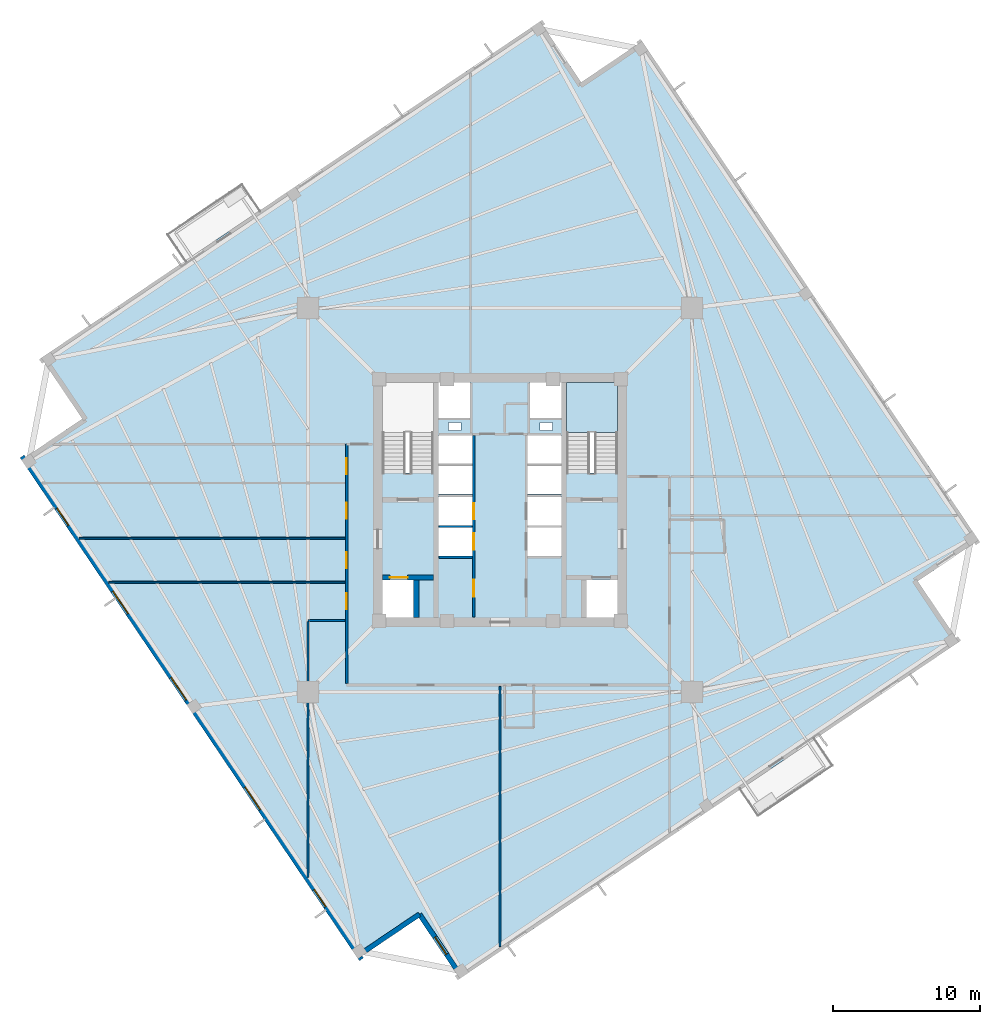
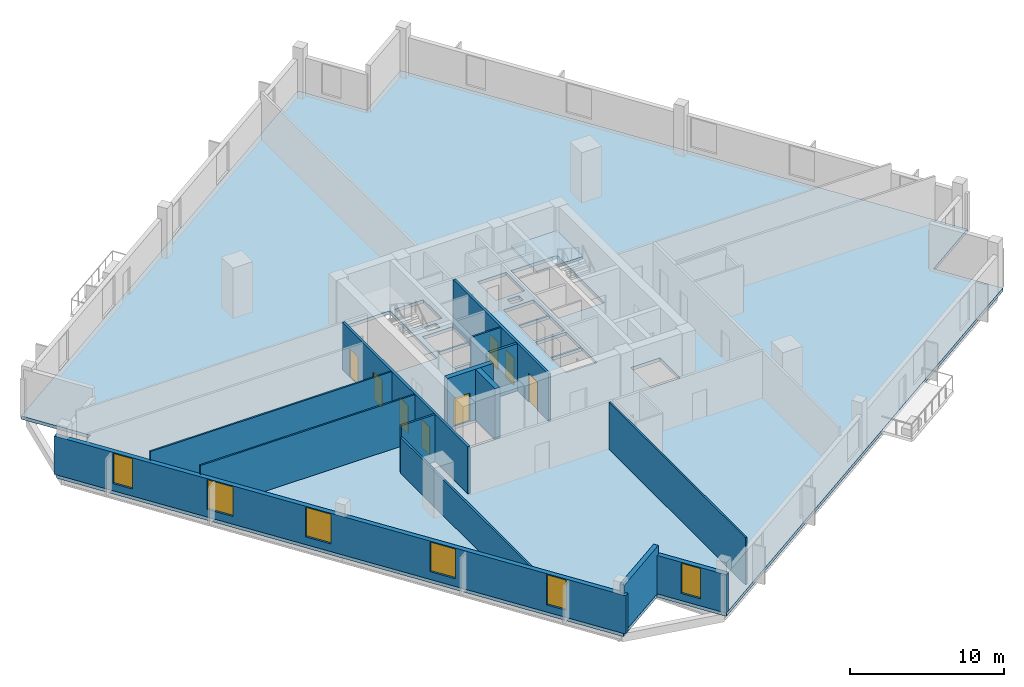
# One storey, part 2 of 8: 14 walls, 8 doors, 6 windows, 2 slabs, 14 openings, 1 element without a shape of its own.
"""IFC4 building model written with IfcOpenShell, lengths in metres."""

from ifc_helpers import new_model, si_unit, direction, frame, frame_2d, origin, place, context, subcontext, project, spatial, polyline, rectangle, outline, extrude, source, transform, mapped, material, layer, layer_set, type_object, element, fill, aggregate, save


model = new_model("IFC4")

# Units and contexts
model_context = context("Model", 3, precision=1e-05, world=origin(), true_north=direction((0.0, 1.0)))
body_context = subcontext(model_context, "Body", "Model", "MODEL_VIEW")
ifc_project = project(units=[si_unit("LENGTHUNIT", "METRE"), si_unit("AREAUNIT", "SQUARE_METRE"), si_unit("VOLUMEUNIT", "CUBIC_METRE"), si_unit("PLANEANGLEUNIT", "RADIAN"), si_unit("MASSUNIT", "GRAM", prefix="KILO"), si_unit("THERMODYNAMICTEMPERATUREUNIT", "KELVIN")], contexts=[model_context])

# Site, building, storey
site_placement = place(None, origin())
site = spatial("IfcSite", under=ifc_project, at=site_placement, CompositionType="ELEMENT")
building_placement = place(site_placement, origin())
building = spatial("IfcBuilding", under=site, at=building_placement, Name="Kosmvard Interchange Tower", CompositionType="ELEMENT")
storey_placement = place(building_placement, frame((0.0, 0.0, 184.39990234375)))
storey = spatial("IfcBuildingStorey", under=building, at=storey_placement, Name="L44", CompositionType="ELEMENT", Elevation=184.39990234375)

# Slab
ifc_material_1 = material(Name="Concrete C50/60", Category="concrete")
ifc_layer_1 = layer(ifc_material_1, 0.260009765625, Name="Concrete C50/60")
ifc_layer_set_1 = layer_set([ifc_layer_1], Name="Concrete C50/60")
slab_type_1 = type_object("IfcSlabType", Name="Mid-Rise Office Composite Slab 260 C50/60", PredefinedType="FLOOR", material=ifc_layer_set_1)
slab_1_placement = place(storey_placement, frame((0.0, 0.0, -0.260009765625)))
element("IfcSlab", 1, at=slab_1_placement, inside=storey, type_object=slab_type_1, Name="L44 Structural Floor Slab", PredefinedType="FLOOR", context=body_context, shape_type="SweptSolid", body=[
    extrude(outline(polyline([(-2.73583984375, -32.60400390625), (31.254638671875, -9.677001953125), (28.458740234375, -5.53173828125), (32.60400390625, -2.73583984375), (9.677001953125, 31.254638671875), (5.53173828125, 28.458740234375), (2.73583984375, 32.60400390625), (-31.254638671875, 9.677001953125), (-28.458740234375, 5.53173828125), (-32.60400390625, 2.73583984375), (-9.677001953125, -31.254638671875), (-5.53173828125, -28.458740234375), (-2.73583984375, -32.60400390625)]), holes=[polyline([(-8.0, 1.8349609375), (-4.5400390625, 1.8349609375), (-4.5400390625, 8.0), (-8.0, 8.0), (-8.0, 1.8349609375)]), polyline([(4.5400390625, 1.8349609375), (8.0, 1.8349609375), (8.0, 8.0), (4.5400390625, 8.0), (4.5400390625, 1.8349609375)]), polyline([(-8.0, -8.0), (-5.800048828125, -8.0), (-5.800048828125, -5.39990234375), (-8.0, -5.39990234375), (-8.0, -8.0)]), polyline([(5.800048828125, -8.0), (8.0, -8.0), (8.0, -5.39990234375), (5.800048828125, -5.39990234375), (5.800048828125, -8.0)]), polyline([(-4.179931640625, -3.800048828125), (-1.8798828125, -3.800048828125), (-1.8798828125, -1.860107421875), (-4.179931640625, -1.860107421875), (-4.179931640625, -3.800048828125)]), polyline([(-4.179931640625, -1.739990234375), (-1.8798828125, -1.739990234375), (-1.8798828125, 0.199951171875), (-4.179931640625, 0.199951171875), (-4.179931640625, -1.739990234375)]), polyline([(1.8798828125, -3.800048828125), (4.179931640625, -3.800048828125), (4.179931640625, -1.860107421875), (1.8798828125, -1.860107421875), (1.8798828125, -3.800048828125)]), polyline([(1.8798828125, -1.739990234375), (4.179931640625, -1.739990234375), (4.179931640625, 0.199951171875), (1.8798828125, 0.199951171875), (1.8798828125, -1.739990234375)]), polyline([(-4.179931640625, 0.39990234375), (-1.8798828125, 0.39990234375), (-1.8798828125, 2.340087890625), (-4.179931640625, 2.340087890625), (-4.179931640625, 0.39990234375)]), polyline([(-4.179931640625, 2.4599609375), (-1.8798828125, 2.4599609375), (-1.8798828125, 4.39990234375), (-4.179931640625, 4.39990234375), (-4.179931640625, 2.4599609375)]), polyline([(1.8798828125, 0.39990234375), (4.179931640625, 0.39990234375), (4.179931640625, 2.340087890625), (1.8798828125, 2.340087890625), (1.8798828125, 0.39990234375)]), polyline([(1.8798828125, 2.4599609375), (4.179931640625, 2.4599609375), (4.179931640625, 4.39990234375), (1.8798828125, 4.39990234375), (1.8798828125, 2.4599609375)]), polyline([(-4.179931640625, 5.60009765625), (-2.0400390625, 5.60009765625), (-2.0400390625, 8.0), (-4.179931640625, 8.0), (-4.179931640625, 5.60009765625)]), polyline([(2.0400390625, 5.60009765625), (4.179931640625, 5.60009765625), (4.179931640625, 8.0), (2.0400390625, 8.0), (2.0400390625, 5.60009765625)]), polyline([(-3.514892578125, 4.739990234375), (-2.6650390625, 4.739990234375), (-2.6650390625, 5.2900390625), (-3.514892578125, 5.2900390625), (-3.514892578125, 4.739990234375)]), polyline([(2.715087890625, 4.739990234375), (3.56494140625, 4.739990234375), (3.56494140625, 5.2900390625), (2.715087890625, 5.2900390625), (2.715087890625, 4.739990234375)])]), origin(), (0.0, 0.0, 1.0), 0.260009765625),
])

# Stair, slab
stair_type = type_object("IfcStairType", Name="Dog-Leg Core Exit Stair H4000 C50/60", PredefinedType="HALF_TURN_STAIR", material=ifc_material_1)
stair_placement = place(storey_placement, origin())
stair = element("IfcStair", 2, at=stair_placement, inside=storey, type_object=stair_type, Name="L44 Protected Exit Stair ST-2", PredefinedType="HALF_TURN_STAIR")
ifc_layer_2 = layer(ifc_material_1, 0.199951171875, Name="Concrete C50/60")
ifc_layer_set_2 = layer_set([ifc_layer_2], Name="Concrete C50/60")
slab_type_2 = type_object("IfcSlabType", Name="Stair Half-Landing Slab 200 C50/60", PredefinedType="LANDING", material=ifc_layer_set_2)
slab_2_placement = place(storey_placement, frame((0.0, 0.0, 1.800048828125)))
slab_2 = element("IfcSlab", 3, at=slab_2_placement, type_object=slab_type_2, Name="ST-2 landing 1", PredefinedType="LANDING", context=body_context, shape_type="SweptSolid", body=[
    extrude(outline(polyline([(8.0, 4.60009765625), (8.0, 8.0), (4.5400390625, 8.0), (4.5400390625, 4.60009765625), (8.0, 4.60009765625)])), origin(), (0.0, 0.0, 1.0), 0.199951171875),
])
aggregate(stair, [slab_2])

# Walls
ifc_material_2 = material(Name="Acoustic gypsum partition system")
ifc_layer_3 = layer(ifc_material_2, 0.14990234375, Name="Acoustic gypsum partition system")
ifc_layer_set_3 = layer_set([ifc_layer_3], Name="Acoustic gypsum partition system")
wall_type_1 = type_object("IfcWallType", Name="Acoustic Suite & Meeting Partition 150", PredefinedType="PARTITIONING", material=ifc_layer_set_3)
wall_1_placement = place(storey_placement, frame((-10.544921875, -8.199951171875, 0.0), z_axis=(0.0, 0.0, 1.0), x_axis=(-1.0, 0.0, 0.0)))
element("IfcWall", 4, at=wall_1_placement, inside=storey, type_object=wall_type_1, Name="L44 Room Partition 06.1", PredefinedType="PARTITIONING", context=body_context, shape_type="SweptSolid", body=[
    extrude(rectangle(XDim=2.5361328125, YDim=0.14990234375, at=frame_2d((1.26806640625, 0.0))), origin(), (0.0, 0.0, 1.0), 3.739990234375),
])
wall_2_placement = place(storey_placement, frame((-13.0810546875, -8.27490234375, 0.0), z_axis=(0.0, 0.0, 1.0), x_axis=(0.0, -1.0, 0.0)))
element("IfcWall", 5, at=wall_2_placement, inside=storey, type_object=wall_type_1, Name="L44 Room Partition 07.1", PredefinedType="PARTITIONING", context=body_context, shape_type="SweptSolid", body=[
    extrude(rectangle(XDim=17.44140625, YDim=0.14990234375, at=frame_2d((8.720703125, 0.0))), origin(), (0.0, 0.0, 1.0), 2.840087890625),
])

# Wall, openings, doors
ifc_material_3 = material(Name="Fire-rated gypsum partition system")
ifc_layer_4 = layer(ifc_material_3, 0.179931640625, Name="Fire-rated gypsum partition system")
ifc_layer_set_4 = layer_set([ifc_layer_4], Name="Fire-rated gypsum partition system")
wall_type_2 = type_object("IfcWallType", Name="Corridor & Hotel Compartment Partition 180", PredefinedType="PARTITIONING", material=ifc_layer_set_4)
wall_3_placement = place(storey_placement, frame((-1.7900390625, -7.97998046875, 0.0), z_axis=(0.0, 0.0, 1.0), x_axis=(0.0, 1.0, 0.0)))
wall_3 = element("IfcWall", 6, at=wall_3_placement, inside=storey, type_object=wall_type_2, Name="L44 West Lift Bank Front Wall", PredefinedType="PARTITIONING", context=body_context, shape_type="SweptSolid", body=[
    extrude(rectangle(XDim=12.3798828125, YDim=0.179931640625, at=frame_2d((6.18994140625, 0.0))), origin(), (0.0, 0.0, 1.0), 3.739990234375),
])
opening_1_placement = place(wall_3_placement, frame((4.60009765625, 0.0, 0.0)))
opening_1 = element("IfcOpeningElement", 7, at=opening_1_placement, cuts=wall_3, Name="Opening LD-PL-M1-L44", PredefinedType="OPENING", context=body_context, shape_type="SweptSolid", body=[
    extrude(rectangle(XDim=1.10009765625, YDim=2.199951171875, at=frame_2d((0.550048828125, 1.10009765625))), frame((0.0, 0.10009765625, 0.0), z_axis=(0.0, -1.0, 0.0), x_axis=(1.0, 0.0, 0.0)), (0.0, 0.0, 1.0), 0.199951171875),
])
opening_2_placement = place(wall_3_placement, frame((6.659912109375, 0.0, 0.0)))
opening_2 = element("IfcOpeningElement", 8, at=opening_2_placement, cuts=wall_3, Name="Opening LD-PL-M2-L44", PredefinedType="OPENING", context=body_context, shape_type="SweptSolid", body=[
    extrude(rectangle(XDim=1.10009765625, YDim=2.199951171875, at=frame_2d((0.550048828125, 1.10009765625))), frame((0.0, 0.10009765625, 0.0), z_axis=(0.0, -1.0, 0.0), x_axis=(1.0, 0.0, 0.0)), (0.0, 0.0, 1.0), 0.199951171875),
])
opening_3_placement = place(wall_3_placement, frame((1.39990234375, 0.0, 0.0)))
opening_3 = element("IfcOpeningElement", 9, at=opening_3_placement, cuts=wall_3, Name="Opening L44-CD1", PredefinedType="OPENING", context=body_context, shape_type="SweptSolid", body=[
    extrude(rectangle(XDim=1.14990234375, YDim=2.25, at=frame_2d((0.574951171875, 1.125))), frame((0.0, 0.10009765625, 0.0), z_axis=(0.0, -1.0, 0.0), x_axis=(1.0, 0.0, 0.0)), (0.0, 0.0, 1.0), 0.199951171875),
])
ifc_material_4 = material(Name="Painted fire-rated steel leaf", Category="steel")
door_type_1 = type_object("IfcDoorType", Name="Plant & Riser Fire Door 1150x2250 EI60", OperationType="NOTDEFINED", PredefinedType="DOOR", material=ifc_material_4)
shared_shape_1 = source(origin(), body_context, "Body", "SweptSolid", [
    extrude(rectangle(XDim=1.14990234375, YDim=2.25, at=frame_2d((0.574951171875, 1.125))), frame((0.0, 0.02490234375, 0.0), z_axis=(0.0, -1.0, 0.0), x_axis=(1.0, 0.0, 0.0)), (0.0, 0.0, 1.0), 0.050048828125),
])
door_1_placement = place(opening_3_placement, origin())
door_1 = element("IfcDoor", 10, at=door_1_placement, inside=storey, type_object=door_type_1, Name="L44 Core Switch Door", OperationType="SINGLE_SWING_LEFT", OverallHeight=2.25, OverallWidth=1.14990234375, PredefinedType="DOOR", context=body_context, shape_type="MappedRepresentation", body=[
    mapped(shared_shape_1, transform((0.0, 0.0, 0.0), scale=1.0)),
])
fill(opening_3, door_1)
ifc_material_5 = material(Name="Brushed stainless steel sliding leaf", Category="steel")
door_type_2 = type_object("IfcDoorType", Name="Passenger Lift Sliding Landing Door 1100x2200 EI60", OperationType="DOUBLE_DOOR_SLIDING", PredefinedType="DOOR", material=ifc_material_5)
shared_shape_2 = source(origin(), body_context, "Body", "SweptSolid", [
    extrude(rectangle(XDim=1.10009765625, YDim=2.199951171875, at=frame_2d((0.550048828125, 1.10009765625))), frame((0.0, 0.02490234375, 0.0), z_axis=(0.0, -1.0, 0.0), x_axis=(1.0, 0.0, 0.0)), (0.0, 0.0, 1.0), 0.050048828125),
])
door_2_placement = place(opening_1_placement, frame((1.10009765625, 0.0, 0.0), z_axis=(0.0, 0.0, 1.0), x_axis=(-1.0, 0.0, 0.0)))
door_2 = element("IfcDoor", 11, at=door_2_placement, inside=storey, type_object=door_type_2, Name="Lift PL-M1 Landing Door L44", OperationType="DOUBLE_DOOR_SLIDING", OverallHeight=2.199951171875, OverallWidth=1.10009765625, PredefinedType="DOOR", context=body_context, shape_type="MappedRepresentation", body=[
    mapped(shared_shape_2, transform((0.0, 0.0, 0.0), scale=1.0)),
])
fill(opening_1, door_2)
door_3_placement = place(opening_2_placement, frame((1.10009765625, 0.0, 0.0), z_axis=(0.0, 0.0, 1.0), x_axis=(-1.0, 0.0, 0.0)))
door_3 = element("IfcDoor", 12, at=door_3_placement, inside=storey, type_object=door_type_2, Name="Lift PL-M2 Landing Door L44", OperationType="DOUBLE_DOOR_SLIDING", OverallHeight=2.199951171875, OverallWidth=1.10009765625, PredefinedType="DOOR", context=body_context, shape_type="MappedRepresentation", body=[
    mapped(shared_shape_2, transform((0.0, 0.0, 0.0), scale=1.0)),
])
fill(opening_2, door_3)

wall_4_placement = place(storey_placement, frame((-10.449951171875, -12.5, 0.0), z_axis=(0.0, 0.0, 1.0), x_axis=(0.0, 1.0, 0.0)))
wall_4 = element("IfcWall", 13, at=wall_4_placement, inside=storey, type_object=wall_type_2, Name="L44 Corridor Wall CW", PredefinedType="PARTITIONING", context=body_context, shape_type="SweptSolid", body=[
    extrude(rectangle(XDim=16.300048828125, YDim=0.179931640625, at=frame_2d((8.14990234375, 0.0))), origin(), (0.0, 0.0, 1.0), 3.739990234375),
])
opening_4_placement = place(wall_4_placement, frame((14.260498046875, 0.0, 0.0)))
opening_4 = element("IfcOpeningElement", 14, at=opening_4_placement, cuts=wall_4, Name="Opening L44-D03", PredefinedType="OPENING", context=body_context, shape_type="SweptSolid", body=[
    extrude(rectangle(XDim=1.10009765625, YDim=2.199951171875, at=frame_2d((0.550048828125, 1.10009765625))), frame((0.0, 0.10009765625, 0.0), z_axis=(0.0, -1.0, 0.0), x_axis=(1.0, 0.0, 0.0)), (0.0, 0.0, 1.0), 0.199951171875),
])
opening_5_placement = place(wall_4_placement, frame((11.22509765625, 0.0, 0.0)))
opening_5 = element("IfcOpeningElement", 15, at=opening_5_placement, cuts=wall_4, Name="Opening L44-D07", PredefinedType="OPENING", context=body_context, shape_type="SweptSolid", body=[
    extrude(rectangle(XDim=1.10009765625, YDim=2.199951171875, at=frame_2d((0.550048828125, 1.10009765625))), frame((0.0, 0.10009765625, 0.0), z_axis=(0.0, -1.0, 0.0), x_axis=(1.0, 0.0, 0.0)), (0.0, 0.0, 1.0), 0.199951171875),
])
opening_6_placement = place(wall_4_placement, frame((7.85009765625, 0.0, 0.0)))
opening_6 = element("IfcOpeningElement", 16, at=opening_6_placement, cuts=wall_4, Name="Opening L44-D08", PredefinedType="OPENING", context=body_context, shape_type="SweptSolid", body=[
    extrude(rectangle(XDim=1.10009765625, YDim=2.199951171875, at=frame_2d((0.550048828125, 1.10009765625))), frame((0.0, 0.10009765625, 0.0), z_axis=(0.0, -1.0, 0.0), x_axis=(1.0, 0.0, 0.0)), (0.0, 0.0, 1.0), 0.199951171875),
])
opening_7_placement = place(wall_4_placement, frame((5.050048828125, 0.0, 0.0)))
opening_7 = element("IfcOpeningElement", 17, at=opening_7_placement, cuts=wall_4, Name="Opening L44-D09", PredefinedType="OPENING", context=body_context, shape_type="SweptSolid", body=[
    extrude(rectangle(XDim=1.10009765625, YDim=2.199951171875, at=frame_2d((0.550048828125, 1.10009765625))), frame((0.0, 0.10009765625, 0.0), z_axis=(0.0, -1.0, 0.0), x_axis=(1.0, 0.0, 0.0)), (0.0, 0.0, 1.0), 0.199951171875),
])
ifc_material_6 = material(Name="Engineered oak fire-rated timber", Category="wood")
door_type_3 = type_object("IfcDoorType", Name="Office Suite Entrance Door 1100x2200 FD30S", OperationType="NOTDEFINED", PredefinedType="DOOR", material=ifc_material_6)
door_4_placement = place(opening_4_placement, origin())
door_4 = element("IfcDoor", 18, at=door_4_placement, inside=storey, type_object=door_type_3, Name="L44 Staff Wellness Clinic Door", OperationType="SINGLE_SWING_LEFT", OverallHeight=2.199951171875, OverallWidth=1.10009765625, PredefinedType="DOOR", context=body_context, shape_type="MappedRepresentation", body=[
    mapped(shared_shape_2, transform((0.0, 0.0, 0.0), scale=1.0)),
])
fill(opening_4, door_4)
door_5_placement = place(opening_5_placement, origin())
door_5 = element("IfcDoor", 19, at=door_5_placement, inside=storey, type_object=door_type_3, Name="L44 West Lead Engineer Office 1 Door", OperationType="SINGLE_SWING_LEFT", OverallHeight=2.199951171875, OverallWidth=1.10009765625, PredefinedType="DOOR", context=body_context, shape_type="MappedRepresentation", body=[
    mapped(shared_shape_2, transform((0.0, 0.0, 0.0), scale=1.0)),
])
fill(opening_5, door_5)
door_6_placement = place(opening_6_placement, origin())
door_6 = element("IfcDoor", 20, at=door_6_placement, inside=storey, type_object=door_type_3, Name="L44 West Security Office 2 Door", OperationType="SINGLE_SWING_RIGHT", OverallHeight=2.199951171875, OverallWidth=1.10009765625, PredefinedType="DOOR", context=body_context, shape_type="MappedRepresentation", body=[
    mapped(shared_shape_2, transform((0.0, 0.0, 0.0), scale=1.0)),
])
fill(opening_6, door_6)
door_7_placement = place(opening_7_placement, origin())
door_7 = element("IfcDoor", 21, at=door_7_placement, inside=storey, type_object=door_type_3, Name="L44 Cafe Servery Kitchen Door", OperationType="SINGLE_SWING_LEFT", OverallHeight=2.199951171875, OverallWidth=1.10009765625, PredefinedType="DOOR", context=body_context, shape_type="MappedRepresentation", body=[
    mapped(shared_shape_2, transform((0.0, 0.0, 0.0), scale=1.0)),
])
fill(opening_7, door_7)

# Wall, openings, windows
ifc_material_7 = material(Name="Precast concrete C45/55", Category="concrete")
ifc_layer_5 = layer(ifc_material_7, 0.340087890625, Name="Precast concrete C45/55")
ifc_layer_set_5 = layer_set([ifc_layer_5], Name="Precast concrete C45/55")
wall_type_3 = type_object("IfcWallType", Name="Mid Tower Precast Pier Wall 340 C45/55", PredefinedType="STANDARD", material=ifc_layer_set_5)
wall_5_placement = place(storey_placement, frame((-32.55810546875, 2.971923828125, 0.0), z_axis=(0.0, 0.0, 1.0), x_axis=(0.559194910251, -0.829036218961, 0.0)))
wall_5 = element("IfcWall", 22, at=wall_5_placement, inside=storey, type_object=wall_type_3, Name="L44 Precast Facade Wall F-W", PredefinedType="STANDARD", context=body_context, shape_type="SweptSolid", body=[
    extrude(rectangle(XDim=41.340087890625, YDim=0.340087890625, at=frame_2d((20.669921875, 0.0))), origin(), (0.0, 0.0, 1.0), 3.0400390625),
])
opening_8_placement = place(wall_5_placement, frame((4.2607421875, 0.0, 0.56005859375)))
opening_8 = element("IfcOpeningElement", 23, at=opening_8_placement, cuts=wall_5, Name="Opening L44-W16", PredefinedType="OPENING", context=body_context, shape_type="SweptSolid", body=[
    extrude(rectangle(XDim=1.39990234375, YDim=2.39990234375, at=frame_2d((0.699951171875, 1.199951171875))), frame((0.0, 0.18017578125, 0.0), z_axis=(0.0, -1.0, 0.0), x_axis=(1.0, 0.0, 0.0)), (0.0, 0.0, 1.0), 0.360107421875),
])
opening_9_placement = place(wall_5_placement, frame((11.063720703125, 0.0, 0.610107421875)))
opening_9 = element("IfcOpeningElement", 24, at=opening_9_placement, cuts=wall_5, Name="Opening L44-W17", PredefinedType="OPENING", context=body_context, shape_type="SweptSolid", body=[
    extrude(rectangle(XDim=1.85009765625, YDim=2.35009765625, at=frame_2d((0.925048828125, 1.175048828125))), frame((0.0, 0.18017578125, 0.0), z_axis=(0.0, -1.0, 0.0), x_axis=(1.0, 0.0, 0.0)), (0.0, 0.0, 1.0), 0.360107421875),
])
opening_10_placement = place(wall_5_placement, frame((18.168212890625, 0.0, 0.610107421875)))
opening_10 = element("IfcOpeningElement", 25, at=opening_10_placement, cuts=wall_5, Name="Opening L44-W18", PredefinedType="OPENING", context=body_context, shape_type="SweptSolid", body=[
    extrude(rectangle(XDim=1.85009765625, YDim=2.35009765625, at=frame_2d((0.925048828125, 1.175048828125))), frame((0.0, 0.18017578125, 0.0), z_axis=(0.0, -1.0, 0.0), x_axis=(1.0, 0.0, 0.0)), (0.0, 0.0, 1.0), 0.360107421875),
])
opening_11_placement = place(wall_5_placement, frame((27.186279296875, 0.0, 0.610107421875)))
opening_11 = element("IfcOpeningElement", 26, at=opening_11_placement, cuts=wall_5, Name="Opening L44-W19", PredefinedType="OPENING", context=body_context, shape_type="SweptSolid", body=[
    extrude(rectangle(XDim=1.85009765625, YDim=2.35009765625, at=frame_2d((0.925048828125, 1.175048828125))), frame((0.0, 0.18017578125, 0.0), z_axis=(0.0, -1.0, 0.0), x_axis=(1.0, 0.0, 0.0)), (0.0, 0.0, 1.0), 0.360107421875),
])
opening_12_placement = place(wall_5_placement, frame((35.602294921875, 0.0, 0.56005859375)))
opening_12 = element("IfcOpeningElement", 27, at=opening_12_placement, cuts=wall_5, Name="Opening L44-W20", PredefinedType="OPENING", context=body_context, shape_type="SweptSolid", body=[
    extrude(rectangle(XDim=1.39990234375, YDim=2.39990234375, at=frame_2d((0.699951171875, 1.199951171875))), frame((0.0, 0.18017578125, 0.0), z_axis=(0.0, -1.0, 0.0), x_axis=(1.0, 0.0, 0.0)), (0.0, 0.0, 1.0), 0.360107421875),
])
ifc_material_8 = material(Name="Low-E solar-control double glazing", Category="glass")
window_type_1 = type_object("IfcWindowType", Name="Notched Corner Feature Window 1400x2400", PartitioningType="SINGLE_PANEL", PredefinedType="WINDOW", material=ifc_material_8)
shared_shape_3 = source(origin(), body_context, "Body", "SweptSolid", [
    extrude(rectangle(XDim=1.39990234375, YDim=2.39990234375, at=frame_2d((0.699951171875, 1.199951171875))), frame((0.0, 0.030029296875, 0.0), z_axis=(0.0, -1.0, 0.0), x_axis=(1.0, 0.0, 0.0)), (0.0, 0.0, 1.0), 0.06005859375),
])
window_1_placement = place(opening_8_placement, origin())
window_1 = element("IfcWindow", 28, at=window_1_placement, inside=storey, type_object=window_type_1, Name="L44 Facade Punched Window 16", OverallHeight=2.39990234375, OverallWidth=1.39990234375, PartitioningType="SINGLE_PANEL", PredefinedType="WINDOW", context=body_context, shape_type="MappedRepresentation", body=[
    mapped(shared_shape_3, transform((0.0, 0.0, 0.0), scale=1.0)),
])
fill(opening_8, window_1)
window_2_placement = place(opening_12_placement, origin())
window_2 = element("IfcWindow", 29, at=window_2_placement, inside=storey, type_object=window_type_1, Name="L44 Facade Punched Window 20", OverallHeight=2.39990234375, OverallWidth=1.39990234375, PartitioningType="SINGLE_PANEL", PredefinedType="WINDOW", context=body_context, shape_type="MappedRepresentation", body=[
    mapped(shared_shape_3, transform((0.0, 0.0, 0.0), scale=1.0)),
])
fill(opening_12, window_2)
window_type_2 = type_object("IfcWindowType", Name="Zone 3 Office Punched Window 1850x2350", PartitioningType="SINGLE_PANEL", PredefinedType="WINDOW", material=ifc_material_8)
shared_shape_4 = source(origin(), body_context, "Body", "SweptSolid", [
    extrude(rectangle(XDim=1.85009765625, YDim=2.35009765625, at=frame_2d((0.925048828125, 1.175048828125))), frame((0.0, 0.030029296875, 0.0), z_axis=(0.0, -1.0, 0.0), x_axis=(1.0, 0.0, 0.0)), (0.0, 0.0, 1.0), 0.06005859375),
])
window_3_placement = place(opening_9_placement, origin())
window_3 = element("IfcWindow", 30, at=window_3_placement, inside=storey, type_object=window_type_2, Name="L44 Facade Punched Window 17", OverallHeight=2.35009765625, OverallWidth=1.85009765625, PartitioningType="SINGLE_PANEL", PredefinedType="WINDOW", context=body_context, shape_type="MappedRepresentation", body=[
    mapped(shared_shape_4, transform((0.0, 0.0, 0.0), scale=1.0)),
])
fill(opening_9, window_3)
window_4_placement = place(opening_10_placement, origin())
window_4 = element("IfcWindow", 31, at=window_4_placement, inside=storey, type_object=window_type_2, Name="L44 Facade Punched Window 18", OverallHeight=2.35009765625, OverallWidth=1.85009765625, PartitioningType="SINGLE_PANEL", PredefinedType="WINDOW", context=body_context, shape_type="MappedRepresentation", body=[
    mapped(shared_shape_4, transform((0.0, 0.0, 0.0), scale=1.0)),
])
fill(opening_10, window_4)
window_5_placement = place(opening_11_placement, origin())
window_5 = element("IfcWindow", 32, at=window_5_placement, inside=storey, type_object=window_type_2, Name="L44 Facade Punched Window 19", OverallHeight=2.35009765625, OverallWidth=1.85009765625, PartitioningType="SINGLE_PANEL", PredefinedType="WINDOW", context=body_context, shape_type="MappedRepresentation", body=[
    mapped(shared_shape_4, transform((0.0, 0.0, 0.0), scale=1.0)),
])
fill(opening_11, window_5)

# Wall
wall_6_placement = place(storey_placement, frame((-9.631103515625, -31.018798828125, 0.0), z_axis=(0.0, 0.0, 1.0), x_axis=(0.829025804298, 0.559210350234, 0.0)))
element("IfcWall", 33, at=wall_6_placement, inside=storey, type_object=wall_type_3, Name="L44 Precast Facade Wall N-SW1", PredefinedType="STANDARD", context=body_context, shape_type="SweptSolid", body=[
    extrude(rectangle(XDim=5.000244140625, YDim=0.340087890625, at=frame_2d((2.5, 0.0))), origin(), (0.0, 0.0, 1.0), 3.739990234375),
])

# Wall, opening, window
wall_7_placement = place(storey_placement, frame((-5.48583984375, -28.22265625, 0.0), z_axis=(0.0, 0.0, 1.0), x_axis=(0.559171107879, -0.82905227345, 0.0)))
wall_7 = element("IfcWall", 34, at=wall_7_placement, inside=storey, type_object=wall_type_3, Name="L44 Precast Facade Wall N-SW2", PredefinedType="STANDARD", context=body_context, shape_type="SweptSolid", body=[
    extrude(rectangle(XDim=5.169921875, YDim=0.340087890625, at=frame_2d((2.5849609375, 0.0))), origin(), (0.0, 0.0, 1.0), 3.0400390625),
])
opening_13_placement = place(wall_7_placement, frame((1.885009765625, 0.0, 0.56005859375)))
opening_13 = element("IfcOpeningElement", 35, at=opening_13_placement, cuts=wall_7, Name="Opening L44-W23", PredefinedType="OPENING", context=body_context, shape_type="SweptSolid", body=[
    extrude(rectangle(XDim=1.39990234375, YDim=2.39990234375, at=frame_2d((0.699951171875, 1.199951171875))), frame((0.0, 0.18017578125, 0.0), z_axis=(0.0, -1.0, 0.0), x_axis=(1.0, 0.0, 0.0)), (0.0, 0.0, 1.0), 0.360107421875),
])
window_6_placement = place(opening_13_placement, origin())
window_6 = element("IfcWindow", 36, at=window_6_placement, inside=storey, type_object=window_type_1, Name="L44 Corner Notch Window 23", OverallHeight=2.39990234375, OverallWidth=1.39990234375, PartitioningType="SINGLE_PANEL", PredefinedType="WINDOW", context=body_context, shape_type="MappedRepresentation", body=[
    mapped(shared_shape_3, transform((0.0, 0.0, 0.0), scale=1.0)),
])
fill(opening_13, window_6)

# Walls
ifc_material_9 = material(Name="Gypsum board partition system")
ifc_layer_6 = layer(ifc_material_9, 0.1201171875, Name="Gypsum board partition system")
ifc_layer_set_6 = layer_set([ifc_layer_6], Name="Gypsum board partition system")
wall_type_4 = type_object("IfcWallType", Name="Office Cellular Partition 120", PredefinedType="PARTITIONING", material=ifc_layer_set_6)
wall_8_placement = place(storey_placement, frame((-28.673095703125, -2.60009765625, 0.0), z_axis=(0.0, 0.0, 1.0), x_axis=(1.0, 0.0, 0.0)))
element("IfcWall", 37, at=wall_8_placement, inside=storey, type_object=wall_type_4, Name="L44 Room Partition 08.1", PredefinedType="PARTITIONING", context=body_context, shape_type="SweptSolid", body=[
    extrude(rectangle(XDim=18.128173828125, YDim=0.1201171875, at=frame_2d((9.06396484375, 0.0))), origin(), (0.0, 0.0, 1.0), 3.739990234375),
])
wall_9_placement = place(storey_placement, frame((-26.649658203125, -5.60009765625, 0.0), z_axis=(0.0, 0.0, 1.0), x_axis=(1.0, 0.0, 0.0)))
element("IfcWall", 38, at=wall_9_placement, inside=storey, type_object=wall_type_4, Name="L44 Room Partition 09.1", PredefinedType="PARTITIONING", context=body_context, shape_type="SweptSolid", body=[
    extrude(rectangle(XDim=16.104736328125, YDim=0.1201171875, at=frame_2d((8.05224609375, 0.0))), origin(), (0.0, 0.0, 1.0), 3.739990234375),
])
wall_10_placement = place(storey_placement, frame((0.0, -30.4267578125, 0.0), z_axis=(0.0, 0.0, 1.0), x_axis=(0.0, 1.0, 0.0)))
element("IfcWall", 39, at=wall_10_placement, inside=storey, type_object=wall_type_4, Name="L44 Room Partition 10.1", PredefinedType="PARTITIONING", context=body_context, shape_type="SweptSolid", body=[
    extrude(rectangle(XDim=17.731689453125, YDim=0.1201171875, at=frame_2d((8.86572265625, 0.0))), origin(), (0.0, 0.0, 1.0), 3.739990234375),
])
ifc_material_10 = material(Name="Concrete blockwork masonry", Category="masonry")
ifc_layer_7 = layer(ifc_material_10, 0.179931640625, Name="Concrete blockwork masonry")
ifc_layer_set_7 = layer_set([ifc_layer_7], Name="Concrete blockwork masonry")
wall_type_5 = type_object("IfcWallType", Name="Riser & Lift Bank Divider Wall 180", PredefinedType="PARTITIONING", material=ifc_layer_set_7)
wall_11_placement = place(storey_placement, frame((-4.169921875, -3.89990234375, 0.0), z_axis=(0.0, 0.0, 1.0), x_axis=(1.0, 0.0, 0.0)))
element("IfcWall", 40, at=wall_11_placement, inside=storey, type_object=wall_type_5, Name="L44 West Bank Divider BD1", PredefinedType="PARTITIONING", context=body_context, shape_type="SweptSolid", body=[
    extrude(rectangle(XDim=2.280029296875, YDim=0.179931640625, at=frame_2d((1.14013671875, 0.0))), origin(), (0.0, 0.0, 1.0), 3.739990234375),
])
ifc_material_11 = material(Name="Fire-rated gypsum shaftwall system")
ifc_layer_8 = layer(ifc_material_11, 0.1201171875, Name="Fire-rated gypsum shaftwall system")
ifc_layer_set_8 = layer_set([ifc_layer_8], Name="Fire-rated gypsum shaftwall system")
wall_type_6 = type_object("IfcWallType", Name="Shaft & Riser Fire Partition 120 EI60", PredefinedType="PARTITIONING", material=ifc_layer_set_8)
wall_12_placement = place(storey_placement, frame((-4.159912109375, -1.800048828125, 0.0), z_axis=(0.0, 0.0, 1.0), x_axis=(1.0, 0.0, 0.0)))
element("IfcWall", 41, at=wall_12_placement, inside=storey, type_object=wall_type_6, Name="L44 Shaft Divider PL-M1", PredefinedType="PARTITIONING", context=body_context, shape_type="SweptSolid", body=[
    extrude(rectangle(XDim=2.260009765625, YDim=0.1201171875, at=frame_2d((1.1298828125, 0.0))), origin(), (0.0, 0.0, 1.0), 3.739990234375),
])

# Wall, opening, door
ifc_material_12 = material(Name="Concrete C60/75", Category="concrete")
ifc_layer_9 = layer(ifc_material_12, 0.360107421875, Name="Concrete C60/75")
ifc_layer_set_9 = layer_set([ifc_layer_9], Name="Concrete C60/75")
wall_type_7 = type_object("IfcWallType", Name="Stair & Lift Shaft Shear Wall 360 C60/75", PredefinedType="SHEAR", material=ifc_layer_set_9)
wall_13_placement = place(storey_placement, frame((-8.0, -5.280029296875, 0.0), z_axis=(0.0, 0.0, 1.0), x_axis=(1.0, 0.0, 0.0)))
wall_13 = element("IfcWall", 42, at=wall_13_placement, inside=storey, type_object=wall_type_7, Name="L44 Shaft Shear Wall SW-FF1", PredefinedType="SHEAR", context=body_context, shape_type="SweptSolid", body=[
    extrude(rectangle(XDim=3.4599609375, YDim=0.360107421875, at=frame_2d((1.72998046875, 0.0))), origin(), (0.0, 0.0, 1.0), 4.0),
])
opening_14_placement = place(wall_13_placement, frame((0.5, 0.0, 0.0)))
opening_14 = element("IfcOpeningElement", 43, at=opening_14_placement, cuts=wall_13, Name="Opening LD-FF-1-L44", PredefinedType="OPENING", context=body_context, shape_type="SweptSolid", body=[
    extrude(rectangle(XDim=1.199951171875, YDim=2.25, at=frame_2d((0.60009765625, 1.125))), frame((0.0, 0.18994140625, 0.0), z_axis=(0.0, -1.0, 0.0), x_axis=(1.0, 0.0, 0.0)), (0.0, 0.0, 1.0), 0.380126953125),
])
door_type_4 = type_object("IfcDoorType", Name="Firefighting Lift Sliding Landing Door 1200x2250 EI120", OperationType="DOUBLE_DOOR_SLIDING", PredefinedType="DOOR", material=ifc_material_5)
shared_shape_5 = source(origin(), body_context, "Body", "SweptSolid", [
    extrude(rectangle(XDim=1.199951171875, YDim=2.25, at=frame_2d((0.60009765625, 1.125))), frame((0.0, 0.02490234375, 0.0), z_axis=(0.0, -1.0, 0.0), x_axis=(1.0, 0.0, 0.0)), (0.0, 0.0, 1.0), 0.050048828125),
])
door_8_placement = place(opening_14_placement, origin())
door_8 = element("IfcDoor", 44, at=door_8_placement, inside=storey, type_object=door_type_4, Name="Lift FF-1 Landing Door L44", OperationType="DOUBLE_DOOR_SLIDING", OverallHeight=2.25, OverallWidth=1.199951171875, PredefinedType="DOOR", context=body_context, shape_type="MappedRepresentation", body=[
    mapped(shared_shape_5, transform((0.0, 0.0, 0.0), scale=1.0)),
])
fill(opening_14, door_8)

# Wall
wall_14_placement = place(storey_placement, frame((-5.7099609375, -8.0, 0.0), z_axis=(0.0, 0.0, 1.0), x_axis=(0.0, 1.0, 0.0)))
element("IfcWall", 45, at=wall_14_placement, inside=storey, type_object=wall_type_7, Name="L44 Shaft Shear Wall SW-SM1", PredefinedType="SHEAR", context=body_context, shape_type="SweptSolid", body=[
    extrude(rectangle(XDim=2.5400390625, YDim=0.360107421875, at=frame_2d((1.27001953125, 0.0))), origin(), (0.0, 0.0, 1.0), 4.0),
])

save(model, "model.ifc")
